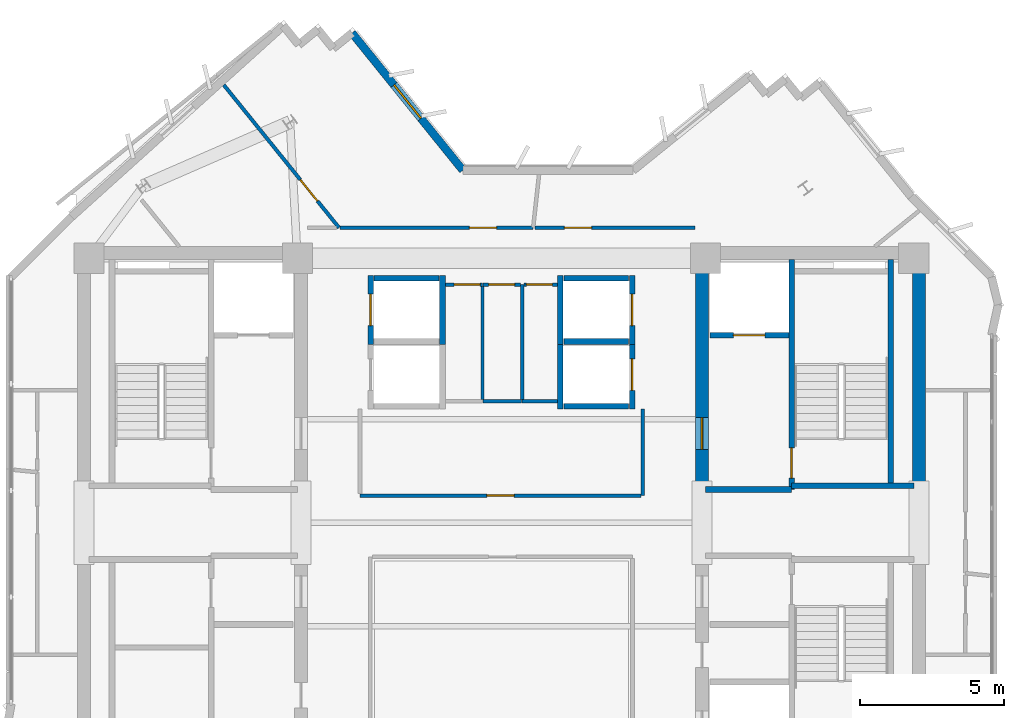
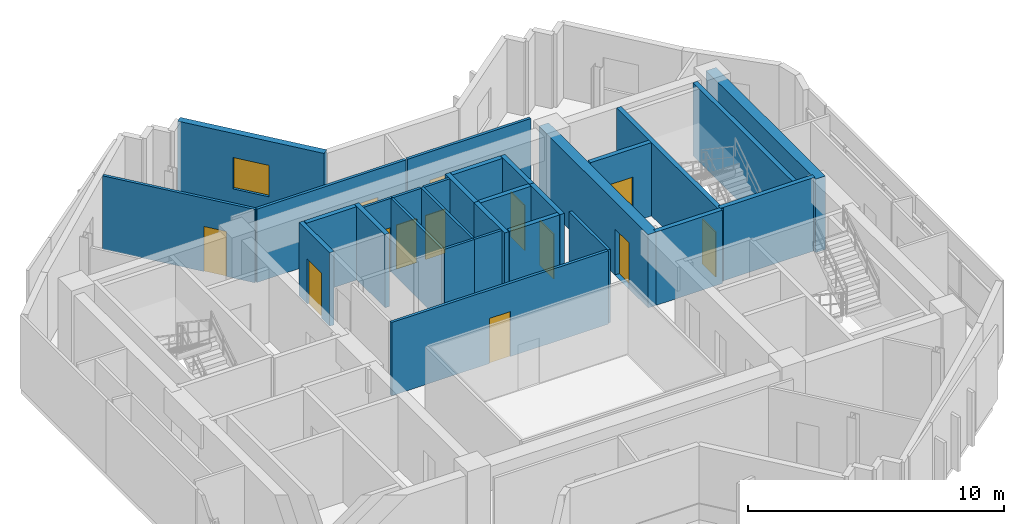
# One storey, part 8 of 11: 30 walls, 13 doors, 1 window, 14 openings.
"""IFC4 building model written with IfcOpenShell, lengths in metres."""

from ifc_helpers import new_model, si_unit, direction, frame, frame_2d, origin, place, context, subcontext, project, spatial, rectangle, extrude, source, transform, mapped, material, layer, layer_set, type_object, element, fill, save


model = new_model("IFC4")

# Units and contexts
model_context = context("Model", 3, precision=1e-05, world=origin(), true_north=direction((0.0, 1.0)))
body_context = subcontext(model_context, "Body", "Model", "MODEL_VIEW")
ifc_project = project(units=[si_unit("LENGTHUNIT", "METRE"), si_unit("AREAUNIT", "SQUARE_METRE"), si_unit("VOLUMEUNIT", "CUBIC_METRE"), si_unit("PLANEANGLEUNIT", "RADIAN"), si_unit("MASSUNIT", "GRAM", prefix="KILO")], contexts=[model_context])

# Site, building, storey
site_placement = place(None, origin())
site = spatial("IfcSite", under=ifc_project, at=site_placement, CompositionType="ELEMENT")
building_placement = place(site_placement, origin())
building = spatial("IfcBuilding", under=site, at=building_placement, Name="Zahravan Cultural Tower", CompositionType="ELEMENT")
storey_placement = place(building_placement, frame((0.0, 0.0, 287.85009765625)))
storey = spatial("IfcBuildingStorey", under=building, at=storey_placement, Name="L69", CompositionType="ELEMENT", Elevation=287.85009765625)

# Wall, opening, door
ifc_material_1 = material(Name="Concrete C50/60", Category="concrete")
ifc_layer_1 = layer(ifc_material_1, 0.449951171875)
ifc_layer_set_1 = layer_set([ifc_layer_1], Name="Concrete C50/60")
wall_type_1 = type_object("IfcWallType", Name="CW-SHEAR-450-C50", PredefinedType="SHEAR", material=ifc_layer_set_1)
wall_1_placement = place(storey_placement, frame((42.97509765625, 28.050048828125, 0.0), z_axis=(0.0, 0.0, 1.0), x_axis=(0.0, 1.0, 0.0)))
wall_1 = element("IfcWall", 1, at=wall_1_placement, inside=storey, type_object=wall_type_1, Name="L69 Core Shear Wall CW-E-WN-L69", PredefinedType="SHEAR", context=body_context, shape_type="SweptSolid", body=[
    extrude(rectangle(XDim=8.550048828125, YDim=0.449951171875, at=frame_2d((4.27490234375, 0.0))), origin(), (0.0, 0.0, 1.0), 3.5),
])
opening_1_placement = place(wall_1_placement, frame((1.5, 0.0, 0.0)))
opening_1 = element("IfcOpeningElement", 2, at=opening_1_placement, cuts=wall_1, Name="Opening D-L69-07", PredefinedType="OPENING", context=body_context, shape_type="SweptSolid", body=[
    extrude(rectangle(XDim=1.10009765625, YDim=2.199951171875, at=frame_2d((0.550048828125, 1.10009765625))), frame((0.0, 0.23486328125, 0.0), z_axis=(0.0, -1.0, 0.0), x_axis=(1.0, 0.0, 0.0)), (0.0, 0.0, 1.0), 0.469970703125),
])
ifc_material_2 = material(Name="Steel ASTM A572 Grade 50", Category="steel")
door_type_1 = type_object("IfcDoorType", Name="DR-LOBBY-1100", OperationType="NOTDEFINED", PredefinedType="DOOR", material=ifc_material_2)
shared_shape_1 = source(origin(), body_context, "Body", "SweptSolid", [
    extrude(rectangle(XDim=1.10009765625, YDim=2.199951171875, at=frame_2d((0.550048828125, 1.10009765625))), frame((0.0, 0.02490234375, 0.0), z_axis=(0.0, -1.0, 0.0), x_axis=(1.0, 0.0, 0.0)), (0.0, 0.0, 1.0), 0.050048828125),
])
door_1_placement = place(opening_1_placement, origin())
door_1 = element("IfcDoor", 3, at=door_1_placement, inside=storey, type_object=door_type_1, Name="L69 Door D-L69-07", OperationType="SINGLE_SWING_RIGHT", OverallHeight=2.199951171875, OverallWidth=1.10009765625, PredefinedType="DOOR", context=body_context, shape_type="MappedRepresentation", body=[
    mapped(shared_shape_1, transform((0.0, 0.0, 0.0), x_axis=(1.0, 0.0, 0.0), y_axis=(0.0, 1.0, 0.0), z_axis=(0.0, 0.0, 1.0), scale=1.0)),
])
fill(opening_1, door_1)

# Wall, opening, window
ifc_material_3 = material(Name="Precast concrete C40/50", Category="concrete")
ifc_layer_2 = layer(ifc_material_3, 0.280029296875)
ifc_layer_set_2 = layer_set([ifc_layer_2], Name="Precast concrete C40/50")
wall_type_2 = type_object("IfcWallType", Name="EW-TC-280", PredefinedType="SOLIDWALL", material=ifc_layer_set_2)
wall_2_placement = place(storey_placement, frame((30.80419921875, 44.037353515625, 0.0), z_axis=(0.0, 0.0, 1.0), x_axis=(0.628194566809, -0.778056287316, 0.0)))
wall_2 = element("IfcWall", 4, at=wall_2_placement, inside=storey, type_object=wall_type_2, Name="L69 Exterior Masonry Frame Wall 07", PredefinedType="SOLIDWALL", context=body_context, shape_type="SweptSolid", body=[
    extrude(rectangle(XDim=6.14013671875, YDim=0.280029296875, at=frame_2d((3.070068359375, 0.0))), origin(), (0.0, 0.0, 1.0), 3.5),
])
opening_2_placement = place(wall_2_placement, frame((2.320068359375, 0.0, 0.85009765625)))
opening_2 = element("IfcOpeningElement", 5, at=opening_2_placement, cuts=wall_2, Name="Opening WN-03", PredefinedType="OPENING", context=body_context, shape_type="SweptSolid", body=[
    extrude(rectangle(XDim=1.5, YDim=1.5, at=frame_2d((0.75, 0.75))), frame((0.0, 0.14990234375, 0.0), z_axis=(0.0, -1.0, 0.0), x_axis=(1.0, 0.0, 0.0)), (0.0, 0.0, 1.0), 0.300048828125),
])
ifc_material_4 = material(Name="Low-E solar-control double glazing", Category="glass")
window_type = type_object("IfcWindowType", Name="WN-REC-1500X1500", PartitioningType="SINGLE_PANEL", PredefinedType="WINDOW", material=ifc_material_4)
shared_shape_2 = source(origin(), body_context, "Body", "SweptSolid", [
    extrude(rectangle(XDim=1.5, YDim=1.5, at=frame_2d((0.75, 0.75))), frame((0.0, 0.030029296875, 0.0), z_axis=(0.0, -1.0, 0.0), x_axis=(1.0, 0.0, 0.0)), (0.0, 0.0, 1.0), 0.06005859375),
])
window_placement = place(opening_2_placement, origin())
window = element("IfcWindow", 6, at=window_placement, inside=storey, type_object=window_type, Name="L69 Recessed Solar Window 02", OverallHeight=1.5, OverallWidth=1.5, PartitioningType="SINGLE_PANEL", PredefinedType="WINDOW", context=body_context, shape_type="MappedRepresentation", body=[
    mapped(shared_shape_2, transform((0.0, 0.0, 0.0), x_axis=(1.0, 0.0, 0.0), y_axis=(0.0, 1.0, 0.0), z_axis=(0.0, 0.0, 1.0), scale=1.0)),
])
fill(opening_2, window)

# Wall, opening, door
ifc_material_5 = material(Name="Gypsum plasterboard partition")
ifc_layer_3 = layer(ifc_material_5, 0.125)
ifc_layer_set_3 = layer_set([ifc_layer_3], Name="Gypsum plasterboard partition")
wall_type_3 = type_object("IfcWallType", Name="W-PART-125", PredefinedType="PARTITIONING", material=ifc_layer_set_3)
wall_3_placement = place(storey_placement, frame((26.340576171875, 42.227294921875, 0.0), z_axis=(0.0, 0.0, 1.0), x_axis=(0.628191114615, -0.778059074569, 0.0)))
wall_3 = element("IfcWall", 7, at=wall_3_placement, inside=storey, type_object=wall_type_3, Name="L69 Interior Wall 071", PredefinedType="PARTITIONING", context=body_context, shape_type="SweptSolid", body=[
    extrude(rectangle(XDim=6.38427734375, YDim=0.125, at=frame_2d((3.192138671875, 0.0))), origin(), (0.0, 0.0, 1.0), 3.5),
])
opening_3_placement = place(wall_3_placement, frame((4.238525390625, 0.0, 0.0)))
opening_3 = element("IfcOpeningElement", 8, at=opening_3_placement, cuts=wall_3, Name="Opening D-L69-25", PredefinedType="OPENING", context=body_context, shape_type="SweptSolid", body=[
    extrude(rectangle(XDim=0.949951171875, YDim=2.14990234375, at=frame_2d((0.47509765625, 1.074951171875))), frame((0.0, 0.072509765625, 0.0), z_axis=(0.0, -1.0, 0.0), x_axis=(1.0, 0.0, 0.0)), (0.0, 0.0, 1.0), 0.14501953125),
])
ifc_material_6 = material(Name="Anodised bronze-aluminium mullion", Category="aluminium")
door_type_2 = type_object("IfcDoorType", Name="DR-ROOM-950", OperationType="NOTDEFINED", PredefinedType="DOOR", material=ifc_material_6)
shared_shape_3 = source(origin(), body_context, "Body", "SweptSolid", [
    extrude(rectangle(XDim=0.949951171875, YDim=2.14990234375, at=frame_2d((0.47509765625, 1.074951171875))), frame((0.0, 0.02490234375, 0.0), z_axis=(0.0, -1.0, 0.0), x_axis=(1.0, 0.0, 0.0)), (0.0, 0.0, 1.0), 0.050048828125),
])
door_2_placement = place(opening_3_placement, origin())
door_2 = element("IfcDoor", 9, at=door_2_placement, inside=storey, type_object=door_type_2, Name="L69 Door D-L69-25", OperationType="SINGLE_SWING_RIGHT", OverallHeight=2.14990234375, OverallWidth=0.949951171875, PredefinedType="DOOR", context=body_context, shape_type="MappedRepresentation", body=[
    mapped(shared_shape_3, transform((0.0, 0.0, 0.0), x_axis=(1.0, 0.0, 0.0), y_axis=(0.0, 1.0, 0.0), z_axis=(0.0, 0.0, 1.0), scale=1.0)),
])
fill(opening_3, door_2)

wall_4_placement = place(storey_placement, frame((40.8525390625, 27.93994140625, 0.0), z_axis=(0.0, 0.0, 1.0), x_axis=(-1.0, 0.0, 0.0)))
wall_4 = element("IfcWall", 10, at=wall_4_placement, inside=storey, type_object=wall_type_3, Name="L69 Interior Wall 078", PredefinedType="PARTITIONING", context=body_context, shape_type="SweptSolid", body=[
    extrude(rectangle(XDim=9.7724609375, YDim=0.125, at=frame_2d((4.88623046875, 0.0))), origin(), (0.0, 0.0, 1.0), 3.5),
])
opening_4_placement = place(wall_4_placement, frame((4.411376953125, 0.0, 0.0)))
opening_4 = element("IfcOpeningElement", 11, at=opening_4_placement, cuts=wall_4, Name="Opening D-L69-16", PredefinedType="OPENING", context=body_context, shape_type="SweptSolid", body=[
    extrude(rectangle(XDim=0.949951171875, YDim=2.14990234375, at=frame_2d((0.47509765625, 1.074951171875))), frame((0.0, 0.072509765625, 0.0), z_axis=(0.0, -1.0, 0.0), x_axis=(1.0, 0.0, 0.0)), (0.0, 0.0, 1.0), 0.14501953125),
])
door_3_placement = place(opening_4_placement, origin())
door_3 = element("IfcDoor", 12, at=door_3_placement, inside=storey, type_object=door_type_2, Name="L69 Door D-L69-16", OperationType="SINGLE_SWING_LEFT", OverallHeight=2.14990234375, OverallWidth=0.949951171875, PredefinedType="DOOR", context=body_context, shape_type="MappedRepresentation", body=[
    mapped(shared_shape_3, transform((0.0, 0.0, 0.0), x_axis=(1.0, 0.0, 0.0), y_axis=(0.0, 1.0, 0.0), z_axis=(0.0, 0.0, 1.0), scale=1.0)),
])
fill(opening_4, door_3)

wall_5_placement = place(storey_placement, frame((37.103759765625, 37.260009765625, 0.0), z_axis=(0.0, 0.0, 1.0), x_axis=(-1.0, 0.0, 0.0)))
wall_5 = element("IfcWall", 13, at=wall_5_placement, inside=storey, type_object=wall_type_3, Name="L69 Interior Wall 080", PredefinedType="PARTITIONING", context=body_context, shape_type="SweptSolid", body=[
    extrude(rectangle(XDim=6.72705078125, YDim=0.125, at=frame_2d((3.363525390625, 0.0))), origin(), (0.0, 0.0, 1.0), 3.5),
])
opening_5_placement = place(wall_5_placement, frame((1.27099609375, 0.0, 0.0)))
opening_5 = element("IfcOpeningElement", 14, at=opening_5_placement, cuts=wall_5, Name="Opening D-L69-19", PredefinedType="OPENING", context=body_context, shape_type="SweptSolid", body=[
    extrude(rectangle(XDim=0.949951171875, YDim=2.14990234375, at=frame_2d((0.47509765625, 1.074951171875))), frame((0.0, 0.072509765625, 0.0), z_axis=(0.0, -1.0, 0.0), x_axis=(1.0, 0.0, 0.0)), (0.0, 0.0, 1.0), 0.14501953125),
])
door_4_placement = place(opening_5_placement, origin())
door_4 = element("IfcDoor", 15, at=door_4_placement, inside=storey, type_object=door_type_2, Name="L69 Door D-L69-19", OperationType="SINGLE_SWING_RIGHT", OverallHeight=2.14990234375, OverallWidth=0.949951171875, PredefinedType="DOOR", context=body_context, shape_type="MappedRepresentation", body=[
    mapped(shared_shape_3, transform((0.0, 0.0, 0.0), x_axis=(1.0, 0.0, 0.0), y_axis=(0.0, 1.0, 0.0), z_axis=(0.0, 0.0, 1.0), scale=1.0)),
])
fill(opening_5, door_4)

wall_6_placement = place(storey_placement, frame((42.742431640625, 37.259765625, 0.0), z_axis=(0.0, 0.0, 1.0), x_axis=(-0.99999999904, 4.382505e-05, 0.0)))
wall_6 = element("IfcWall", 16, at=wall_6_placement, inside=storey, type_object=wall_type_3, Name="L69 Interior Wall 086", PredefinedType="PARTITIONING", context=body_context, shape_type="SweptSolid", body=[
    extrude(rectangle(XDim=5.57080078125, YDim=0.125, at=frame_2d((2.785400390625, 0.0))), origin(), (0.0, 0.0, 1.0), 3.5),
])
opening_6_placement = place(wall_6_placement, frame((3.604248046875, 0.0, 0.0)))
opening_6 = element("IfcOpeningElement", 17, at=opening_6_placement, cuts=wall_6, Name="Opening D-L69-18", PredefinedType="OPENING", context=body_context, shape_type="SweptSolid", body=[
    extrude(rectangle(XDim=0.949951171875, YDim=2.14990234375, at=frame_2d((0.47509765625, 1.074951171875))), frame((0.0, 0.072509765625, 0.0), z_axis=(0.0, -1.0, 0.0), x_axis=(1.0, 0.0, 0.0)), (0.0, 0.0, 1.0), 0.14501953125),
])
door_5_placement = place(opening_6_placement, origin())
door_5 = element("IfcDoor", 18, at=door_5_placement, inside=storey, type_object=door_type_2, Name="L69 Door D-L69-18", OperationType="SINGLE_SWING_LEFT", OverallHeight=2.14990234375, OverallWidth=0.949951171875, PredefinedType="DOOR", context=body_context, shape_type="MappedRepresentation", body=[
    mapped(shared_shape_3, transform((0.0, 0.0, 0.0), x_axis=(1.0, 0.0, 0.0), y_axis=(0.0, 1.0, 0.0), z_axis=(0.0, 0.0, 1.0), scale=1.0)),
])
fill(opening_6, door_5)

ifc_material_7 = material(Name="Concrete C45/55", Category="concrete")
ifc_layer_4 = layer(ifc_material_7, 0.199951171875)
ifc_layer_set_4 = layer_set([ifc_layer_4], Name="Concrete C45/55")
wall_type_4 = type_object("IfcWallType", Name="W-SHAFT-200", PredefinedType="SOLIDWALL", material=ifc_layer_set_4)
wall_7_placement = place(storey_placement, frame((46.10009765625, 28.14990234375, 0.0), z_axis=(0.0, 0.0, 1.0), x_axis=(0.0, 1.0, 0.0)))
wall_7 = element("IfcWall", 19, at=wall_7_placement, inside=storey, type_object=wall_type_4, Name="L69 Interior Wall 008", PredefinedType="SOLIDWALL", context=body_context, shape_type="SweptSolid", body=[
    extrude(rectangle(XDim=8.0, YDim=0.199951171875, at=frame_2d((4.0, 0.0))), origin(), (0.0, 0.0, 1.0), 3.5),
])
opening_7_placement = place(wall_7_placement, frame((0.39990234375, 0.0, 0.0)))
opening_7 = element("IfcOpeningElement", 20, at=opening_7_placement, cuts=wall_7, Name="Opening D-L69-02", PredefinedType="OPENING", context=body_context, shape_type="SweptSolid", body=[
    extrude(rectangle(XDim=1.050048828125, YDim=2.14990234375, at=frame_2d((0.52490234375, 1.074951171875))), frame((0.0, 0.10986328125, 0.0), z_axis=(0.0, -1.0, 0.0), x_axis=(1.0, 0.0, 0.0)), (0.0, 0.0, 1.0), 0.219970703125),
])
door_type_3 = type_object("IfcDoorType", Name="DR-STAIR-1050", OperationType="NOTDEFINED", PredefinedType="DOOR", material=ifc_material_2)
shared_shape_4 = source(origin(), body_context, "Body", "SweptSolid", [
    extrude(rectangle(XDim=1.050048828125, YDim=2.14990234375, at=frame_2d((0.52490234375, 1.074951171875))), frame((0.0, 0.02490234375, 0.0), z_axis=(0.0, -1.0, 0.0), x_axis=(1.0, 0.0, 0.0)), (0.0, 0.0, 1.0), 0.050048828125),
])
door_6_placement = place(opening_7_placement, origin())
door_6 = element("IfcDoor", 21, at=door_6_placement, inside=storey, type_object=door_type_3, Name="L69 Door D-L69-02", OperationType="SINGLE_SWING_LEFT", OverallHeight=2.14990234375, OverallWidth=1.050048828125, PredefinedType="DOOR", context=body_context, shape_type="MappedRepresentation", body=[
    mapped(shared_shape_4, transform((0.0, 0.0, 0.0), x_axis=(1.0, 0.0, 0.0), y_axis=(0.0, 1.0, 0.0), z_axis=(0.0, 0.0, 1.0), scale=1.0)),
])
fill(opening_7, door_6)

wall_8_placement = place(storey_placement, frame((43.25, 33.52001953125, 0.0), z_axis=(0.0, 0.0, 1.0), x_axis=(1.0, 0.0, 0.0)))
wall_8 = element("IfcWall", 22, at=wall_8_placement, inside=storey, type_object=wall_type_4, Name="L69 Interior Wall 023", PredefinedType="SOLIDWALL", context=body_context, shape_type="SweptSolid", body=[
    extrude(rectangle(XDim=2.75, YDim=0.199951171875, at=frame_2d((1.375, 0.0))), origin(), (0.0, 0.0, 1.0), 3.5),
])
opening_8_placement = place(wall_8_placement, frame((0.820068359375, 0.0, 0.0)))
opening_8 = element("IfcOpeningElement", 23, at=opening_8_placement, cuts=wall_8, Name="Opening LD-L69-02", PredefinedType="OPENING", context=body_context, shape_type="SweptSolid", body=[
    extrude(rectangle(XDim=1.10009765625, YDim=2.14990234375, at=frame_2d((0.550048828125, 1.074951171875))), frame((0.0, 0.10986328125, 0.0), z_axis=(0.0, -1.0, 0.0), x_axis=(1.0, 0.0, 0.0)), (0.0, 0.0, 1.0), 0.219970703125),
])
door_type_4 = type_object("IfcDoorType", Name="DR-LIFT-1100", OperationType="DOUBLE_DOOR_SLIDING", PredefinedType="DOOR", material=ifc_material_2)
shared_shape_5 = source(origin(), body_context, "Body", "SweptSolid", [
    extrude(rectangle(XDim=1.10009765625, YDim=2.14990234375, at=frame_2d((0.550048828125, 1.074951171875))), frame((0.0, 0.02490234375, 0.0), z_axis=(0.0, -1.0, 0.0), x_axis=(1.0, 0.0, 0.0)), (0.0, 0.0, 1.0), 0.050048828125),
])
door_7_placement = place(opening_8_placement, origin())
door_7 = element("IfcDoor", 24, at=door_7_placement, inside=storey, type_object=door_type_4, Name="L69 Door LD-L69-02", OperationType="DOUBLE_DOOR_SLIDING", OverallHeight=2.14990234375, OverallWidth=1.10009765625, PredefinedType="DOOR", context=body_context, shape_type="MappedRepresentation", body=[
    mapped(shared_shape_5, transform((0.0, 0.0, 0.0), x_axis=(1.0, 0.0, 0.0), y_axis=(0.0, 1.0, 0.0), z_axis=(0.0, 0.0, 1.0), scale=1.0)),
])
fill(opening_8, door_7)

wall_9_placement = place(storey_placement, frame((31.449951171875, 33.199951171875, 0.0), z_axis=(0.0, 0.0, 1.0), x_axis=(0.0, 1.0, 0.0)))
wall_9 = element("IfcWall", 25, at=wall_9_placement, inside=storey, type_object=wall_type_4, Name="L69 Interior Wall 027", PredefinedType="SOLIDWALL", context=body_context, shape_type="SweptSolid", body=[
    extrude(rectangle(XDim=2.400146484375, YDim=0.199951171875, at=frame_2d((1.2001953125, 0.0))), origin(), (0.0, 0.0, 1.0), 3.5),
])
opening_9_placement = place(wall_9_placement, frame((0.64990234375, 0.0, 0.0)))
opening_9 = element("IfcOpeningElement", 26, at=opening_9_placement, cuts=wall_9, Name="Opening LD-L69-04", PredefinedType="OPENING", context=body_context, shape_type="SweptSolid", body=[
    extrude(rectangle(XDim=1.10009765625, YDim=2.14990234375, at=frame_2d((0.550048828125, 1.074951171875))), frame((0.0, 0.10986328125, 0.0), z_axis=(0.0, -1.0, 0.0), x_axis=(1.0, 0.0, 0.0)), (0.0, 0.0, 1.0), 0.219970703125),
])
door_8_placement = place(opening_9_placement, origin())
door_8 = element("IfcDoor", 27, at=door_8_placement, inside=storey, type_object=door_type_4, Name="L69 Door LD-L69-04", OperationType="DOUBLE_DOOR_SLIDING", OverallHeight=2.14990234375, OverallWidth=1.10009765625, PredefinedType="DOOR", context=body_context, shape_type="MappedRepresentation", body=[
    mapped(shared_shape_5, transform((0.0, 0.0, 0.0), x_axis=(1.0, 0.0, 0.0), y_axis=(0.0, 1.0, 0.0), z_axis=(0.0, 0.0, 1.0), scale=1.0)),
])
fill(opening_9, door_8)

wall_10_placement = place(storey_placement, frame((40.550048828125, 33.199951171875, 0.0), z_axis=(0.0, 0.0, 1.0), x_axis=(0.0, 1.0, 0.0)))
wall_10 = element("IfcWall", 28, at=wall_10_placement, inside=storey, type_object=wall_type_4, Name="L69 Interior Wall 035", PredefinedType="SOLIDWALL", context=body_context, shape_type="SweptSolid", body=[
    extrude(rectangle(XDim=2.400146484375, YDim=0.199951171875, at=frame_2d((1.2001953125, 0.0))), origin(), (0.0, 0.0, 1.0), 3.5),
])
opening_10_placement = place(wall_10_placement, frame((0.64990234375, 0.0, 0.0)))
opening_10 = element("IfcOpeningElement", 29, at=opening_10_placement, cuts=wall_10, Name="Opening LD-L69-06", PredefinedType="OPENING", context=body_context, shape_type="SweptSolid", body=[
    extrude(rectangle(XDim=1.10009765625, YDim=2.14990234375, at=frame_2d((0.550048828125, 1.074951171875))), frame((0.0, 0.10986328125, 0.0), z_axis=(0.0, -1.0, 0.0), x_axis=(1.0, 0.0, 0.0)), (0.0, 0.0, 1.0), 0.219970703125),
])
door_9_placement = place(opening_10_placement, origin())
door_9 = element("IfcDoor", 30, at=door_9_placement, inside=storey, type_object=door_type_4, Name="L69 Door LD-L69-06", OperationType="DOUBLE_DOOR_SLIDING", OverallHeight=2.14990234375, OverallWidth=1.10009765625, PredefinedType="DOOR", context=body_context, shape_type="MappedRepresentation", body=[
    mapped(shared_shape_5, transform((0.0, 0.0, 0.0), x_axis=(1.0, 0.0, 0.0), y_axis=(0.0, 1.0, 0.0), z_axis=(0.0, 0.0, 1.0), scale=1.0)),
])
fill(opening_10, door_9)

wall_11_placement = place(storey_placement, frame((40.550048828125, 30.949951171875, 0.0), z_axis=(0.0, 0.0, 1.0), x_axis=(0.0, 1.0, 0.0)))
wall_11 = element("IfcWall", 31, at=wall_11_placement, inside=storey, type_object=wall_type_4, Name="L69 Interior Wall 039", PredefinedType="SOLIDWALL", context=body_context, shape_type="SweptSolid", body=[
    extrude(rectangle(XDim=2.400146484375, YDim=0.199951171875, at=frame_2d((1.2001953125, 0.0))), origin(), (0.0, 0.0, 1.0), 3.5),
])
opening_11_placement = place(wall_11_placement, frame((0.64990234375, 0.0, 0.0)))
opening_11 = element("IfcOpeningElement", 32, at=opening_11_placement, cuts=wall_11, Name="Opening LD-L69-07", PredefinedType="OPENING", context=body_context, shape_type="SweptSolid", body=[
    extrude(rectangle(XDim=1.10009765625, YDim=2.14990234375, at=frame_2d((0.550048828125, 1.074951171875))), frame((0.0, 0.10986328125, 0.0), z_axis=(0.0, -1.0, 0.0), x_axis=(1.0, 0.0, 0.0)), (0.0, 0.0, 1.0), 0.219970703125),
])
door_10_placement = place(opening_11_placement, origin())
door_10 = element("IfcDoor", 33, at=door_10_placement, inside=storey, type_object=door_type_4, Name="L69 Door LD-L69-07", OperationType="DOUBLE_DOOR_SLIDING", OverallHeight=2.14990234375, OverallWidth=1.10009765625, PredefinedType="DOOR", context=body_context, shape_type="MappedRepresentation", body=[
    mapped(shared_shape_5, transform((0.0, 0.0, 0.0), x_axis=(1.0, 0.0, 0.0), y_axis=(0.0, 1.0, 0.0), z_axis=(0.0, 0.0, 1.0), scale=1.0)),
])
fill(opening_11, door_10)

ifc_layer_5 = layer(ifc_material_5, 0.114990234375)
ifc_layer_set_5 = layer_set([ifc_layer_5], Name="Gypsum plasterboard partition")
wall_type_5 = type_object("IfcWallType", Name="W-WC-115", PredefinedType="PARTITIONING", material=ifc_layer_set_5)
wall_12_placement = place(storey_placement, frame((36.782470703125, 35.280029296875, 0.0), z_axis=(0.0, 0.0, 1.0), x_axis=(1.0, 0.0, 0.0)))
wall_12 = element("IfcWall", 34, at=wall_12_placement, inside=storey, type_object=wall_type_5, Name="L69 Interior Wall 043", PredefinedType="PARTITIONING", context=body_context, shape_type="SweptSolid", body=[
    extrude(rectangle(XDim=1.16259765625, YDim=0.114990234375, at=frame_2d((0.581298828125, 0.0))), origin(), (0.0, 0.0, 1.0), 3.5),
])
opening_12_placement = place(wall_12_placement, frame((0.0888671875, 0.0, 0.0)))
opening_12 = element("IfcOpeningElement", 35, at=opening_12_placement, cuts=wall_12, Name="Opening D-L69-15", PredefinedType="OPENING", context=body_context, shape_type="SweptSolid", body=[
    extrude(rectangle(XDim=0.89990234375, YDim=2.10009765625, at=frame_2d((0.449951171875, 1.050048828125))), frame((0.0, 0.0673828125, 0.0), z_axis=(0.0, -1.0, 0.0), x_axis=(1.0, 0.0, 0.0)), (0.0, 0.0, 1.0), 0.135009765625),
])
door_type_5 = type_object("IfcDoorType", Name="DR-WC-900", OperationType="NOTDEFINED", PredefinedType="DOOR", material=ifc_material_6)
shared_shape_6 = source(origin(), body_context, "Body", "SweptSolid", [
    extrude(rectangle(XDim=0.89990234375, YDim=2.10009765625, at=frame_2d((0.449951171875, 1.050048828125))), frame((0.0, 0.02490234375, 0.0), z_axis=(0.0, -1.0, 0.0), x_axis=(1.0, 0.0, 0.0)), (0.0, 0.0, 1.0), 0.050048828125),
])
door_11_placement = place(opening_12_placement, origin())
door_11 = element("IfcDoor", 36, at=door_11_placement, inside=storey, type_object=door_type_5, Name="L69 Door D-L69-15", OperationType="SINGLE_SWING_RIGHT", OverallHeight=2.10009765625, OverallWidth=0.89990234375, PredefinedType="DOOR", context=body_context, shape_type="MappedRepresentation", body=[
    mapped(shared_shape_6, transform((0.0, 0.0, 0.0), x_axis=(1.0, 0.0, 0.0), y_axis=(0.0, 1.0, 0.0), z_axis=(0.0, 0.0, 1.0), scale=1.0)),
])
fill(opening_12, door_11)

wall_13_placement = place(storey_placement, frame((34.054931640625, 35.280029296875, 0.0), z_axis=(0.0, 0.0, 1.0), x_axis=(1.0, 0.0, 0.0)))
wall_13 = element("IfcWall", 37, at=wall_13_placement, inside=storey, type_object=wall_type_5, Name="L69 Interior Wall 045", PredefinedType="PARTITIONING", context=body_context, shape_type="SweptSolid", body=[
    extrude(rectangle(XDim=1.28515625, YDim=0.114990234375, at=frame_2d((0.642578125, 0.0))), origin(), (0.0, 0.0, 1.0), 3.5),
])
opening_13_placement = place(wall_13_placement, frame((0.30029296875, 0.0, 0.0)))
opening_13 = element("IfcOpeningElement", 38, at=opening_13_placement, cuts=wall_13, Name="Opening D-L69-13", PredefinedType="OPENING", context=body_context, shape_type="SweptSolid", body=[
    extrude(rectangle(XDim=0.89990234375, YDim=2.10009765625, at=frame_2d((0.449951171875, 1.050048828125))), frame((0.0, 0.0673828125, 0.0), z_axis=(0.0, -1.0, 0.0), x_axis=(1.0, 0.0, 0.0)), (0.0, 0.0, 1.0), 0.135009765625),
])
door_12_placement = place(opening_13_placement, origin())
door_12 = element("IfcDoor", 39, at=door_12_placement, inside=storey, type_object=door_type_5, Name="L69 Door D-L69-13", OperationType="SINGLE_SWING_RIGHT", OverallHeight=2.10009765625, OverallWidth=0.89990234375, PredefinedType="DOOR", context=body_context, shape_type="MappedRepresentation", body=[
    mapped(shared_shape_6, transform((0.0, 0.0, 0.0), x_axis=(1.0, 0.0, 0.0), y_axis=(0.0, 1.0, 0.0), z_axis=(0.0, 0.0, 1.0), scale=1.0)),
])
fill(opening_13, door_12)

wall_14_placement = place(storey_placement, frame((35.360107421875, 35.280029296875, 0.0), z_axis=(0.0, 0.0, 1.0), x_axis=(1.0, 0.0, 0.0)))
wall_14 = element("IfcWall", 40, at=wall_14_placement, inside=storey, type_object=wall_type_5, Name="L69 Interior Wall 048", PredefinedType="PARTITIONING", context=body_context, shape_type="SweptSolid", body=[
    extrude(rectangle(XDim=1.29736328125, YDim=0.114990234375, at=frame_2d((0.648681640625, 0.0))), origin(), (0.0, 0.0, 1.0), 3.5),
])
opening_14_placement = place(wall_14_placement, frame((0.19873046875, 0.0, 0.0)))
opening_14 = element("IfcOpeningElement", 41, at=opening_14_placement, cuts=wall_14, Name="Opening D-L69-14", PredefinedType="OPENING", context=body_context, shape_type="SweptSolid", body=[
    extrude(rectangle(XDim=0.89990234375, YDim=2.10009765625, at=frame_2d((0.449951171875, 1.050048828125))), frame((0.0, 0.0673828125, 0.0), z_axis=(0.0, -1.0, 0.0), x_axis=(1.0, 0.0, 0.0)), (0.0, 0.0, 1.0), 0.135009765625),
])
door_13_placement = place(opening_14_placement, origin())
door_13 = element("IfcDoor", 42, at=door_13_placement, inside=storey, type_object=door_type_5, Name="L69 Door D-L69-14", OperationType="SINGLE_SWING_LEFT", OverallHeight=2.10009765625, OverallWidth=0.89990234375, PredefinedType="DOOR", context=body_context, shape_type="MappedRepresentation", body=[
    mapped(shared_shape_6, transform((0.0, 0.0, 0.0), x_axis=(1.0, 0.0, 0.0), y_axis=(0.0, 1.0, 0.0), z_axis=(0.0, 0.0, 1.0), scale=1.0)),
])
fill(opening_14, door_13)

# Walls
shared_shape_7 = source(origin(), body_context, "Body", "SweptSolid", [
    extrude(rectangle(XDim=8.550048828125, YDim=0.449951171875, at=frame_2d((4.27490234375, 0.0))), origin(), (0.0, 0.0, 1.0), 3.5),
])
wall_15_placement = place(storey_placement, frame((50.52490234375, 28.050048828125, 0.0), z_axis=(0.0, 0.0, 1.0), x_axis=(0.0, 1.0, 0.0)))
element("IfcWall", 43, at=wall_15_placement, inside=storey, type_object=wall_type_1, Name="L69 Core Shear Wall CW-E-EN-L69", PredefinedType="SHEAR", context=body_context, shape_type="MappedRepresentation", body=[
    mapped(shared_shape_7, transform((0.0, 0.0, 0.0), x_axis=(1.0, 0.0, 0.0), y_axis=(0.0, 1.0, 0.0), z_axis=(0.0, 0.0, 1.0), scale=1.0)),
])
shared_shape_8 = source(origin(), body_context, "Body", "SweptSolid", [
    extrude(rectangle(XDim=7.869873046875, YDim=0.199951171875, at=frame_2d((3.93505859375, 0.0))), origin(), (0.0, 0.0, 1.0), 3.5),
])
wall_16_placement = place(storey_placement, frame((49.550048828125, 28.280029296875, 0.0), z_axis=(0.0, 0.0, 1.0), x_axis=(0.0, 1.0, 0.0)))
element("IfcWall", 44, at=wall_16_placement, inside=storey, type_object=wall_type_4, Name="L69 Interior Wall 004", PredefinedType="SOLIDWALL", context=body_context, shape_type="MappedRepresentation", body=[
    mapped(shared_shape_8, transform((0.0, 0.0, 0.0), x_axis=(1.0, 0.0, 0.0), y_axis=(0.0, 1.0, 0.0), z_axis=(0.0, 0.0, 1.0), scale=1.0)),
])
shared_shape_9 = source(origin(), body_context, "Body", "SweptSolid", [
    extrude(rectangle(XDim=4.25, YDim=0.199951171875, at=frame_2d((2.125, 0.0))), origin(), (0.0, 0.0, 1.0), 3.5),
])
wall_17_placement = place(storey_placement, frame((46.10009765625, 28.284912109375, 0.0), z_axis=(0.0, 0.0, 1.0), x_axis=(1.0, 0.0, 0.0)))
element("IfcWall", 45, at=wall_17_placement, inside=storey, type_object=wall_type_4, Name="L69 Interior Wall 016", PredefinedType="SOLIDWALL", context=body_context, shape_type="MappedRepresentation", body=[
    mapped(shared_shape_9, transform((0.0, 0.0, 0.0), x_axis=(1.0, 0.0, 0.0), y_axis=(0.0, 1.0, 0.0), z_axis=(0.0, 0.0, 1.0), scale=1.0)),
])
shared_shape_10 = source(origin(), body_context, "Body", "SweptSolid", [
    extrude(rectangle(XDim=3.0, YDim=0.199951171875, at=frame_2d((1.5, 0.0))), origin(), (0.0, 0.0, 1.0), 3.5),
])
wall_18_placement = place(storey_placement, frame((43.10009765625, 28.14990234375, 0.0), z_axis=(0.0, 0.0, 1.0), x_axis=(1.0, 0.0, 0.0)))
element("IfcWall", 46, at=wall_18_placement, inside=storey, type_object=wall_type_4, Name="L69 Interior Wall 015", PredefinedType="SOLIDWALL", context=body_context, shape_type="MappedRepresentation", body=[
    mapped(shared_shape_10, transform((0.0, 0.0, 0.0), x_axis=(1.0, 0.0, 0.0), y_axis=(0.0, 1.0, 0.0), z_axis=(0.0, 0.0, 1.0), scale=1.0)),
])
shared_shape_11 = source(origin(), body_context, "Body", "SweptSolid", [
    extrude(rectangle(XDim=2.400146484375, YDim=0.199951171875, at=frame_2d((1.2001953125, 0.0))), origin(), (0.0, 0.0, 1.0), 3.5),
])
for number, where, z_axis, x_axis, name in (
    (47, (33.949951171875, 33.199951171875, 0.0), (0.0, 0.0, 1.0), (0.0, 1.0, 0.0), "L69 Interior Wall 028"),
    (48, (38.050048828125, 33.199951171875, 0.0), (0.0, 0.0, 1.0), (0.0, 1.0, 0.0), "L69 Interior Wall 034"),
    (49, (38.050048828125, 30.949951171875, 0.0), (0.0, 0.0, 1.0), (0.0, 1.0, 0.0), "L69 Interior Wall 038"),
):
    element("IfcWall", number, at=place(storey_placement, frame(where, z_axis=z_axis, x_axis=x_axis)), inside=storey, type_object=wall_type_4, Name=name, PredefinedType="SOLIDWALL", context=body_context, shape_type="MappedRepresentation", body=[
        mapped(shared_shape_11, transform((0.0, 0.0, 0.0), x_axis=(1.0, 0.0, 0.0), y_axis=(0.0, 1.0, 0.0), z_axis=(0.0, 0.0, 1.0), scale=1.0)),
    ])
shared_shape_12 = source(origin(), body_context, "Body", "SweptSolid", [
    extrude(rectangle(XDim=2.260009765625, YDim=0.199951171875, at=frame_2d((1.1298828125, 0.0))), origin(), (0.0, 0.0, 1.0), 3.5),
])
for number, where, z_axis, x_axis, name in (
    (50, (31.570068359375, 35.5, 0.0), (0.0, 0.0, 1.0), (1.0, 0.0, 0.0), "L69 Interior Wall 030"),
    (51, (38.169921875, 33.300048828125, 0.0), (0.0, 0.0, 1.0), (1.0, 0.0, 0.0), "L69 Interior Wall 036"),
    (52, (38.169921875, 35.5, 0.0), (0.0, 0.0, 1.0), (1.0, 0.0, 0.0), "L69 Interior Wall 037"),
    (53, (38.169921875, 31.050048828125, 0.0), (0.0, 0.0, 1.0), (1.0, 0.0, 0.0), "L69 Interior Wall 040"),
):
    element("IfcWall", number, at=place(storey_placement, frame(where, z_axis=z_axis, x_axis=x_axis)), inside=storey, type_object=wall_type_4, Name=name, PredefinedType="SOLIDWALL", context=body_context, shape_type="MappedRepresentation", body=[
        mapped(shared_shape_12, transform((0.0, 0.0, 0.0), x_axis=(1.0, 0.0, 0.0), y_axis=(0.0, 1.0, 0.0), z_axis=(0.0, 0.0, 1.0), scale=1.0)),
    ])
shared_shape_13 = source(origin(), body_context, "Body", "SweptSolid", [
    extrude(rectangle(XDim=3.010009765625, YDim=0.125, at=frame_2d((1.5048828125, 0.0))), origin(), (0.0, 0.0, 1.0), 3.5),
])
wall_19_placement = place(storey_placement, frame((40.919921875, 30.949951171875, 0.0), z_axis=(0.0, 0.0, 1.0), x_axis=(0.0, -1.0, 0.0)))
element("IfcWall", 54, at=wall_19_placement, inside=storey, type_object=wall_type_3, Name="L69 Interior Wall 077", PredefinedType="PARTITIONING", context=body_context, shape_type="MappedRepresentation", body=[
    mapped(shared_shape_13, transform((0.0, 0.0, 0.0), x_axis=(1.0, 0.0, 0.0), y_axis=(0.0, 1.0, 0.0), z_axis=(0.0, 0.0, 1.0), scale=1.0)),
])
shared_shape_14 = source(origin(), body_context, "Body", "SweptSolid", [
    extrude(rectangle(XDim=1.22509765625, YDim=0.114990234375, at=frame_2d((0.612548828125, 0.0))), origin(), (0.0, 0.0, 1.0), 3.5),
])
wall_20_placement = place(storey_placement, frame((37.945068359375, 31.219970703125, 0.0), z_axis=(0.0, 0.0, 1.0), x_axis=(-1.0, 0.0, 0.0)))
element("IfcWall", 55, at=wall_20_placement, inside=storey, type_object=wall_type_5, Name="L69 Interior Wall 041", PredefinedType="PARTITIONING", context=body_context, shape_type="MappedRepresentation", body=[
    mapped(shared_shape_14, transform((0.0, 0.0, 0.0), x_axis=(1.0, 0.0, 0.0), y_axis=(0.0, 1.0, 0.0), z_axis=(0.0, 0.0, 1.0), scale=1.0)),
])
shared_shape_15 = source(origin(), body_context, "Body", "SweptSolid", [
    extrude(rectangle(XDim=3.99755859375, YDim=0.114990234375, at=frame_2d((1.998779296875, 0.0))), origin(), (0.0, 0.0, 1.0), 3.5),
])
wall_21_placement = place(storey_placement, frame((36.719970703125, 31.282470703125, 0.0), z_axis=(0.0, 0.0, 1.0), x_axis=(0.0, 1.0, 0.0)))
element("IfcWall", 56, at=wall_21_placement, inside=storey, type_object=wall_type_5, Name="L69 Interior Wall 042", PredefinedType="PARTITIONING", context=body_context, shape_type="MappedRepresentation", body=[
    mapped(shared_shape_15, transform((0.0, 0.0, 0.0), x_axis=(1.0, 0.0, 0.0), y_axis=(0.0, 1.0, 0.0), z_axis=(0.0, 0.0, 1.0), scale=1.0)),
])
shared_shape_16 = source(origin(), body_context, "Body", "SweptSolid", [
    extrude(rectangle(XDim=3.93505859375, YDim=0.114990234375, at=frame_2d((1.967529296875, 0.0))), origin(), (0.0, 0.0, 1.0), 3.5),
])
wall_22_placement = place(storey_placement, frame((35.340087890625, 35.217529296875, 0.0), z_axis=(0.0, 0.0, 1.0), x_axis=(0.0, -1.0, 0.0)))
element("IfcWall", 57, at=wall_22_placement, inside=storey, type_object=wall_type_5, Name="L69 Interior Wall 046", PredefinedType="PARTITIONING", context=body_context, shape_type="MappedRepresentation", body=[
    mapped(shared_shape_16, transform((0.0, 0.0, 0.0), x_axis=(1.0, 0.0, 0.0), y_axis=(0.0, 1.0, 0.0), z_axis=(0.0, 0.0, 1.0), scale=1.0)),
])
shared_shape_17 = source(origin(), body_context, "Body", "SweptSolid", [
    extrude(rectangle(XDim=1.33984375, YDim=0.114990234375, at=frame_2d((0.669921875, 0.0))), origin(), (0.0, 0.0, 1.0), 3.5),
])
wall_23_placement = place(storey_placement, frame((36.699951171875, 31.219970703125, 0.0), z_axis=(0.0, 0.0, 1.0), x_axis=(-1.0, 0.0, 0.0)))
element("IfcWall", 58, at=wall_23_placement, inside=storey, type_object=wall_type_5, Name="L69 Interior Wall 047", PredefinedType="PARTITIONING", context=body_context, shape_type="MappedRepresentation", body=[
    mapped(shared_shape_17, transform((0.0, 0.0, 0.0), x_axis=(1.0, 0.0, 0.0), y_axis=(0.0, 1.0, 0.0), z_axis=(0.0, 0.0, 1.0), scale=1.0)),
])

save(model, "model.ifc")
